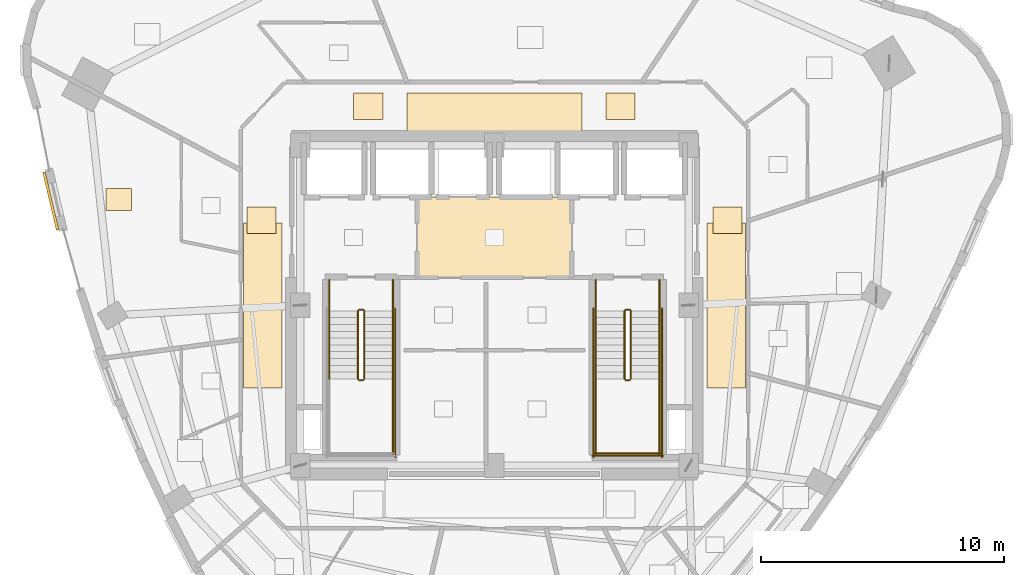
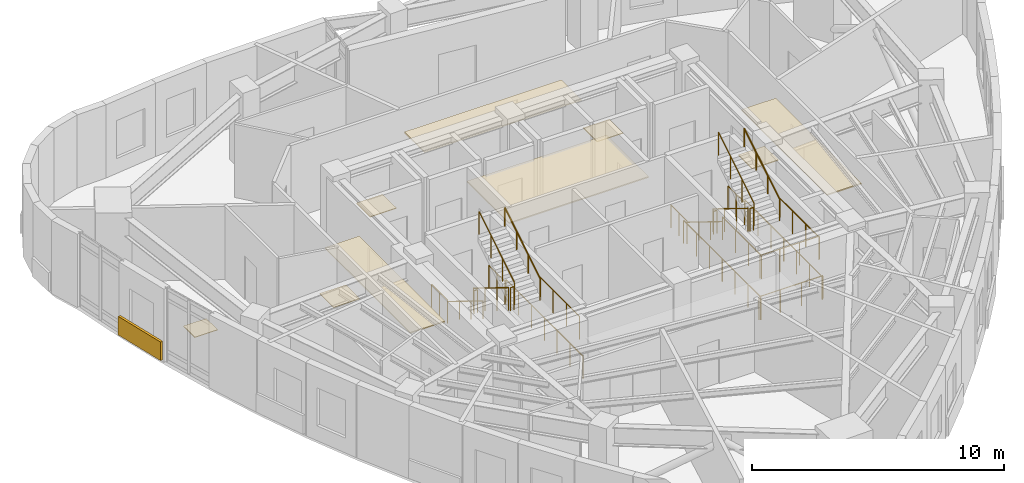
# One storey, part 15 of 16: 24 railings, 10 coverings.
"""IFC4 building model written with IfcOpenShell, lengths in metres."""

from ifc_helpers import new_model, si_unit, direction, frame, origin, origin_2d, place, context, subcontext, project, spatial, rectangle, circle, extrude, material, layer, layer_set, type_object, element, save


model = new_model("IFC4")

# Units and contexts
model_context = context("Model", 3, precision=1e-05, world=origin(), true_north=direction((0.0, 1.0)))
body_context = subcontext(model_context, "Body", "Model", "MODEL_VIEW")
ifc_project = project(units=[si_unit("LENGTHUNIT", "METRE"), si_unit("AREAUNIT", "SQUARE_METRE"), si_unit("VOLUMEUNIT", "CUBIC_METRE"), si_unit("PLANEANGLEUNIT", "RADIAN"), si_unit("MASSUNIT", "GRAM", prefix="KILO")], contexts=[model_context])

# Site, building, storey
site_placement = place(None, origin())
site = spatial("IfcSite", under=ifc_project, at=site_placement, CompositionType="ELEMENT")
building_placement = place(site_placement, origin())
building = spatial("IfcBuilding", under=site, at=building_placement, Name="Ndelora Gate Hotel", CompositionType="ELEMENT")
storey_placement = place(building_placement, frame((0.0, 0.0, 182.75)))
storey = spatial("IfcBuildingStorey", under=building, at=storey_placement, Name="L45", CompositionType="ELEMENT", Elevation=182.75)

# Coverings
ifc_material_1 = material(Name="Perforated Acoustic Gypsum Board", Category="gypsum")
ifc_layer_1 = layer(ifc_material_1, 0.054931640625)
ifc_layer_set_1 = layer_set([ifc_layer_1], Name="Perforated Acoustic Gypsum Board")
covering_type_1 = type_object("IfcCoveringType", Name="COV-CEIL-AC60", PredefinedType="CEILING", material=ifc_layer_set_1)
covering_1_placement = place(storey_placement, frame((0.0, 2.800048828125, 2.72265625), z_axis=(0.0, 0.0, 1.0), x_axis=(1.0, 0.0, 0.0)))
element("IfcCovering", 1, at=covering_1_placement, inside=storey, type_object=covering_type_1, Name="L45 Lift Lobby Acoustic Ceiling", PredefinedType="CEILING", context=body_context, shape_type="SweptSolid", body=[
    extrude(rectangle(XDim=6.39990234375, YDim=3.340087890625, at=origin_2d()), origin(), (0.0, 0.0, 1.0), 0.054931640625),
])
covering_2_placement = place(storey_placement, frame((0.0, 7.9599609375, 2.65234375), z_axis=(0.0, 0.0, 1.0), x_axis=(1.0, 0.0, 0.0)))
element("IfcCovering", 2, at=covering_2_placement, inside=storey, type_object=covering_type_1, Name="L45 Guest Corridor Acoustic Ceiling N", PredefinedType="CEILING", context=body_context, shape_type="SweptSolid", body=[
    extrude(rectangle(XDim=7.199951171875, YDim=1.580078125, at=origin_2d()), origin(), (0.0, 0.0, 1.0), 0.054931640625),
])
for number, where, z_axis, x_axis, name in (
    (3, (-9.550048828125, 0.0, 2.65234375), (0.0, 0.0, 1.0), (1.0, 0.0, 0.0), "L45 Guest Corridor Acoustic Ceiling W"),
    (4, (9.550048828125, 0.0, 2.65234375), (0.0, 0.0, 1.0), (1.0, 0.0, 0.0), "L45 Guest Corridor Acoustic Ceiling E"),
):
    element("IfcCovering", number, at=place(storey_placement, frame(where, z_axis=z_axis, x_axis=x_axis)), inside=storey, type_object=covering_type_1, Name=name, PredefinedType="CEILING", context=body_context, shape_type="SweptSolid", body=[
        extrude(rectangle(XDim=1.580078125, YDim=6.800048828125, at=origin_2d()), origin(), (0.0, 0.0, 1.0), 0.054931640625),
    ])
ifc_material_2 = material(Name="Terracotta Fired Clay Brick Slip Cladding", Category="masonry")
ifc_layer_2 = layer(ifc_material_2, 0.110107421875)
ifc_layer_set_2 = layer_set([ifc_layer_2], Name="Terracotta Fired Clay Brick Slip Cladding")
covering_type_2 = type_object("IfcCoveringType", Name="COV-CLAD-BRK", PredefinedType="CLADDING", material=ifc_layer_set_2)
covering_3_placement = place(storey_placement, frame((-18.275390625, 4.298828125, 0.10009765625), z_axis=(0.0, 0.0, 1.0), x_axis=(-0.230219585439, 0.973138706701, 0.0)))
element("IfcCovering", 5, at=covering_3_placement, inside=storey, type_object=covering_type_2, Name="L45 Rounded-Corner Brick Cladding Band 10", PredefinedType="CLADDING", context=body_context, shape_type="SweptSolid", body=[
    extrude(rectangle(XDim=2.4599609375, YDim=0.110107421875, at=origin_2d()), origin(), (0.0, 0.0, 1.0), 0.89990234375),
])
ifc_material_3 = material(Name="Engineered Highland Oak Parquet", Category="wood")
ifc_layer_3 = layer(ifc_material_3, 0.030029296875)
ifc_layer_set_3 = layer_set([ifc_layer_3], Name="Engineered Highland Oak Parquet")
covering_type_3 = type_object("IfcCoveringType", Name="COV-FLR-PARQ", PredefinedType="FLOORING", material=ifc_layer_set_3)
covering_4_placement = place(storey_placement, frame((-15.482421875, 4.3583984375, 0.0), z_axis=(0.0, 0.0, 1.0), x_axis=(1.0, 0.0, 0.0)))
element("IfcCovering", 6, at=covering_4_placement, inside=storey, type_object=covering_type_3, Name="L45 Altitude Twin Suite 4805 Oak Parquet Flooring", PredefinedType="FLOORING", context=body_context, shape_type="SweptSolid", body=[
    extrude(rectangle(XDim=1.050048828125, YDim=0.89990234375, at=origin_2d()), origin(), (0.0, 0.0, 1.0), 0.030029296875),
])
ifc_material_4 = material(Name="Polished Highland Stone Terrazzo", Category="masonry")
ifc_layer_4 = layer(ifc_material_4, 0.034912109375)
ifc_layer_set_4 = layer_set([ifc_layer_4], Name="Polished Highland Stone Terrazzo")
covering_type_4 = type_object("IfcCoveringType", Name="COV-FLR-TERZ", PredefinedType="FLOORING", material=ifc_layer_set_4)
for number, where, z_axis, x_axis, name in (
    (7, (-5.199951171875, 8.199951171875, 0.0), (0.0, 0.0, 1.0), (1.0, 0.0, 0.0), "L45 Corridor Threshold Terrazzo Inlay NW"),
    (8, (5.199951171875, 8.199951171875, 0.0), (0.0, 0.0, 1.0), (1.0, 0.0, 0.0), "L45 Corridor Threshold Terrazzo Inlay NE"),
    (9, (-9.60009765625, 3.5, 0.0), (0.0, 0.0, 1.0), (1.0, 0.0, 0.0), "L45 Corridor Threshold Terrazzo Inlay W"),
    (10, (9.60009765625, 3.5, 0.0), (0.0, 0.0, 1.0), (1.0, 0.0, 0.0), "L45 Corridor Threshold Terrazzo Inlay E"),
):
    element("IfcCovering", number, at=place(storey_placement, frame(where, z_axis=z_axis, x_axis=x_axis)), inside=storey, type_object=covering_type_4, Name=name, PredefinedType="FLOORING", context=body_context, shape_type="SweptSolid", body=[
        extrude(rectangle(XDim=1.199951171875, YDim=1.10009765625, at=origin_2d()), origin(), (0.0, 0.0, 1.0), 0.034912109375),
    ])

# Railings
ifc_material_5 = material(Name="Painted Galvanized Steel Balustrade", Category="steel")
ifc_layer_5 = layer(ifc_material_5, 0.06005859375)
ifc_layer_set_5 = layer_set([ifc_layer_5], Name="Painted Galvanized Steel Balustrade")
railing_type_1 = type_object("IfcRailingType", Name="RL-STAIR-GD", PredefinedType="GUARDRAIL", material=ifc_layer_set_5)
railing_1_placement = place(storey_placement, frame((-5.6201171875, -0.22998046875, 0.172607421875)))
element("IfcRailing", 11, at=railing_1_placement, inside=storey, type_object=railing_type_1, Name="L45 ST4 stair guard 1", PredefinedType="GUARDRAIL", context=body_context, shape_type="SweptSolid", body=[
    extrude(circle(Radius=0.02392578125, at=origin_2d()), frame((0.0, 0.0, 1.10595703125), z_axis=(0.0, -0.851089632645, 0.525020415988), x_axis=(1.0, 0.0, 0.0)), (0.0, 0.0, 1.0), 3.2900390625),
    extrude(circle(Radius=0.02099609375, at=origin_2d()), origin(), (0.0, 0.0, 1.0), 1.081787109375),
    extrude(circle(Radius=0.02099609375, at=origin_2d()), frame((0.0, -0.933349609375, 0.57568359375)), (0.0, 0.0, 1.0), 1.081787109375),
    extrude(circle(Radius=0.02099609375, at=origin_2d()), frame((0.0, -1.86669921875, 1.151611328125)), (0.0, 0.0, 1.0), 1.081787109375),
    extrude(circle(Radius=0.02099609375, at=origin_2d()), frame((0.0, -2.800048828125, 1.727294921875)), (0.0, 0.0, 1.0), 1.081787109375),
])
railing_2_placement = place(storey_placement, frame((-5.570068359375, -3.080078125, 1.89990234375)))
element("IfcRailing", 12, at=railing_2_placement, inside=storey, type_object=railing_type_1, Name="L45 ST4 stair guard 2", PredefinedType="GUARDRAIL", context=body_context, shape_type="SweptSolid", body=[
    extrude(circle(Radius=0.02392578125, at=origin_2d()), frame((0.0, 0.0, 1.10595703125), z_axis=(1.0, 0.0, 0.0), x_axis=(0.0, 1.0, 0.0)), (0.0, 0.0, 1.0), 0.16015625),
    extrude(circle(Radius=0.02099609375, at=origin_2d()), origin(), (0.0, 0.0, 1.0), 1.081787109375),
    extrude(circle(Radius=0.02099609375, at=origin_2d()), frame((0.16015625, 0.0, 0.0)), (0.0, 0.0, 1.0), 1.081787109375),
])
railing_3_placement = place(storey_placement, frame((-4.179931640625, -3.030029296875, 1.89990234375)))
element("IfcRailing", 13, at=railing_3_placement, inside=storey, type_object=railing_type_1, Name="L45 ST4 stair guard 4", PredefinedType="GUARDRAIL", context=body_context, shape_type="SweptSolid", body=[
    extrude(circle(Radius=0.02392578125, at=origin_2d()), frame((0.0, 0.0, 1.10595703125), z_axis=(0.0, -1.0, 0.0), x_axis=(1.0, 0.0, 0.0)), (0.0, 0.0, 1.0), 3.119873046875),
    extrude(circle(Radius=0.02099609375, at=origin_2d()), origin(), (0.0, 0.0, 1.0), 1.081787109375),
    extrude(circle(Radius=0.02099609375, at=origin_2d()), frame((0.0, -1.0400390625, 0.0)), (0.0, 0.0, 1.0), 1.081787109375),
    extrude(circle(Radius=0.02099609375, at=origin_2d()), frame((0.0, -2.079833984375, 0.0)), (0.0, 0.0, 1.0), 1.081787109375),
    extrude(circle(Radius=0.02099609375, at=origin_2d()), frame((0.0, -3.119873046875, 0.0)), (0.0, 0.0, 1.0), 1.081787109375),
])
railing_4_placement = place(storey_placement, frame((-5.360107421875, -3.030029296875, 2.07275390625)))
element("IfcRailing", 14, at=railing_4_placement, inside=storey, type_object=railing_type_1, Name="L45 ST4 stair guard 6", PredefinedType="GUARDRAIL", context=body_context, shape_type="SweptSolid", body=[
    extrude(circle(Radius=0.02392578125, at=origin_2d()), frame((0.0, 0.0, 1.10595703125), z_axis=(0.0, 0.851089632645, 0.525020415988), x_axis=(-1.0, 0.0, 0.0)), (0.0, 0.0, 1.0), 3.2900390625),
    extrude(circle(Radius=0.02099609375, at=origin_2d()), origin(), (0.0, 0.0, 1.0), 1.081787109375),
    extrude(circle(Radius=0.02099609375, at=origin_2d()), frame((0.0, 0.933349609375, 0.57568359375)), (0.0, 0.0, 1.0), 1.081787109375),
    extrude(circle(Radius=0.02099609375, at=origin_2d()), frame((0.0, 1.86669921875, 1.151611328125)), (0.0, 0.0, 1.0), 1.081787109375),
    extrude(circle(Radius=0.02099609375, at=origin_2d()), frame((0.0, 2.800048828125, 1.727294921875)), (0.0, 0.0, 1.0), 1.081787109375),
])
railing_5_placement = place(storey_placement, frame((-5.570068359375, -0.179931640625, 0.0)))
element("IfcRailing", 15, at=railing_5_placement, inside=storey, type_object=railing_type_1, Name="L45 ST4 stair guard 7", PredefinedType="GUARDRAIL", context=body_context, shape_type="SweptSolid", body=[
    extrude(circle(Radius=0.02392578125, at=origin_2d()), frame((0.0, 0.0, 1.10595703125), z_axis=(1.0, 0.0, 0.0), x_axis=(0.0, 1.0, 0.0)), (0.0, 0.0, 1.0), 0.16015625),
    extrude(circle(Radius=0.02099609375, at=origin_2d()), origin(), (0.0, 0.0, 1.0), 1.081787109375),
    extrude(circle(Radius=0.02099609375, at=origin_2d()), frame((0.16015625, 0.0, 0.0)), (0.0, 0.0, 1.0), 1.081787109375),
])
for number, where, name in (
    (16, (-6.800048828125, 1.050048828125, 0.0), "L45 ST4 stair guard 8"),
    (17, (-4.179931640625, 1.050048828125, 0.0), "L45 ST4 stair guard 9"),
):
    element("IfcRailing", number, at=place(storey_placement, frame(where)), inside=storey, type_object=railing_type_1, Name=name, PredefinedType="GUARDRAIL", context=body_context, shape_type="SweptSolid", body=[
        extrude(circle(Radius=0.02392578125, at=origin_2d()), frame((0.0, 0.0, 1.10595703125), z_axis=(0.0, -1.0, 0.0), x_axis=(1.0, 0.0, 0.0)), (0.0, 0.0, 1.0), 1.280029296875),
        extrude(circle(Radius=0.02099609375, at=origin_2d()), origin(), (0.0, 0.0, 1.0), 1.081787109375),
        extrude(circle(Radius=0.02099609375, at=origin_2d()), frame((0.0, -0.64013671875, 0.0)), (0.0, 0.0, 1.0), 1.081787109375),
        extrude(circle(Radius=0.02099609375, at=origin_2d()), frame((0.0, -1.280029296875, 0.0)), (0.0, 0.0, 1.0), 1.081787109375),
    ])
railing_6_placement = place(storey_placement, frame((-4.080078125, -0.1298828125, 0.0)))
element("IfcRailing", 18, at=railing_6_placement, inside=storey, type_object=railing_type_1, Name="L45 ST4 stair guard 11", PredefinedType="GUARDRAIL", context=body_context, shape_type="SweptSolid", body=[
    extrude(circle(Radius=0.02392578125, at=origin_2d()), frame((0.0, 0.0, 1.10595703125), z_axis=(0.0, -1.0, 0.0), x_axis=(1.0, 0.0, 0.0)), (0.0, 0.0, 1.0), 6.1201171875),
    extrude(circle(Radius=0.02099609375, at=origin_2d()), origin(), (0.0, 0.0, 1.0), 1.081787109375),
    extrude(circle(Radius=0.02099609375, at=origin_2d()), frame((0.0, -1.02001953125, 0.0)), (0.0, 0.0, 1.0), 1.081787109375),
    extrude(circle(Radius=0.02099609375, at=origin_2d()), frame((0.0, -2.0400390625, 0.0)), (0.0, 0.0, 1.0), 1.081787109375),
    extrude(circle(Radius=0.02099609375, at=origin_2d()), frame((0.0, -3.06005859375, 0.0)), (0.0, 0.0, 1.0), 1.081787109375),
    extrude(circle(Radius=0.02099609375, at=origin_2d()), frame((0.0, -4.080078125, 0.0)), (0.0, 0.0, 1.0), 1.081787109375),
    extrude(circle(Radius=0.02099609375, at=origin_2d()), frame((0.0, -5.10009765625, 0.0)), (0.0, 0.0, 1.0), 1.081787109375),
    extrude(circle(Radius=0.02099609375, at=origin_2d()), frame((0.0, -6.1201171875, 0.0)), (0.0, 0.0, 1.0), 1.081787109375),
])
railing_7_placement = place(storey_placement, frame((5.360107421875, -0.22998046875, 0.172607421875)))
element("IfcRailing", 19, at=railing_7_placement, inside=storey, type_object=railing_type_1, Name="L45 ST5 stair guard 1", PredefinedType="GUARDRAIL", context=body_context, shape_type="SweptSolid", body=[
    extrude(circle(Radius=0.02392578125, at=origin_2d()), frame((0.0, 0.0, 1.10595703125), z_axis=(0.0, -0.851089632645, 0.525020415988), x_axis=(1.0, 0.0, 0.0)), (0.0, 0.0, 1.0), 3.2900390625),
    extrude(circle(Radius=0.02099609375, at=origin_2d()), origin(), (0.0, 0.0, 1.0), 1.081787109375),
    extrude(circle(Radius=0.02099609375, at=origin_2d()), frame((0.0, -0.933349609375, 0.57568359375)), (0.0, 0.0, 1.0), 1.081787109375),
    extrude(circle(Radius=0.02099609375, at=origin_2d()), frame((0.0, -1.86669921875, 1.151611328125)), (0.0, 0.0, 1.0), 1.081787109375),
    extrude(circle(Radius=0.02099609375, at=origin_2d()), frame((0.0, -2.800048828125, 1.727294921875)), (0.0, 0.0, 1.0), 1.081787109375),
])
railing_8_placement = place(storey_placement, frame((5.409912109375, -3.080078125, 1.89990234375)))
element("IfcRailing", 20, at=railing_8_placement, inside=storey, type_object=railing_type_1, Name="L45 ST5 stair guard 2", PredefinedType="GUARDRAIL", context=body_context, shape_type="SweptSolid", body=[
    extrude(circle(Radius=0.02392578125, at=origin_2d()), frame((0.0, 0.0, 1.10595703125), z_axis=(1.0, 0.0, 0.0), x_axis=(0.0, 1.0, 0.0)), (0.0, 0.0, 1.0), 0.16015625),
    extrude(circle(Radius=0.02099609375, at=origin_2d()), origin(), (0.0, 0.0, 1.0), 1.081787109375),
    extrude(circle(Radius=0.02099609375, at=origin_2d()), frame((0.16015625, 0.0, 0.0)), (0.0, 0.0, 1.0), 1.081787109375),
])
for number, where, name in (
    (21, (4.179931640625, -3.030029296875, 1.89990234375), "L45 ST5 stair guard 3"),
    (22, (6.800048828125, -3.030029296875, 1.89990234375), "L45 ST5 stair guard 4"),
):
    element("IfcRailing", number, at=place(storey_placement, frame(where)), inside=storey, type_object=railing_type_1, Name=name, PredefinedType="GUARDRAIL", context=body_context, shape_type="SweptSolid", body=[
        extrude(circle(Radius=0.02392578125, at=origin_2d()), frame((0.0, 0.0, 1.10595703125), z_axis=(0.0, -1.0, 0.0), x_axis=(1.0, 0.0, 0.0)), (0.0, 0.0, 1.0), 3.119873046875),
        extrude(circle(Radius=0.02099609375, at=origin_2d()), origin(), (0.0, 0.0, 1.0), 1.081787109375),
        extrude(circle(Radius=0.02099609375, at=origin_2d()), frame((0.0, -1.0400390625, 0.0)), (0.0, 0.0, 1.0), 1.081787109375),
        extrude(circle(Radius=0.02099609375, at=origin_2d()), frame((0.0, -2.079833984375, 0.0)), (0.0, 0.0, 1.0), 1.081787109375),
        extrude(circle(Radius=0.02099609375, at=origin_2d()), frame((0.0, -3.119873046875, 0.0)), (0.0, 0.0, 1.0), 1.081787109375),
    ])
railing_9_placement = place(storey_placement, frame((4.1298828125, -6.10009765625, 1.89990234375)))
element("IfcRailing", 23, at=railing_9_placement, inside=storey, type_object=railing_type_1, Name="L45 ST5 stair guard 5", PredefinedType="GUARDRAIL", context=body_context, shape_type="SweptSolid", body=[
    extrude(circle(Radius=0.02392578125, at=origin_2d()), frame((0.0, 0.0, 1.10595703125), z_axis=(1.0, 0.0, 0.0), x_axis=(0.0, 1.0, 0.0)), (0.0, 0.0, 1.0), 2.72021484375),
    extrude(circle(Radius=0.02099609375, at=origin_2d()), origin(), (0.0, 0.0, 1.0), 1.081787109375),
    extrude(circle(Radius=0.02099609375, at=origin_2d()), frame((0.90673828125, 0.0, 0.0)), (0.0, 0.0, 1.0), 1.081787109375),
    extrude(circle(Radius=0.02099609375, at=origin_2d()), frame((1.8134765625, 0.0, 0.0)), (0.0, 0.0, 1.0), 1.081787109375),
    extrude(circle(Radius=0.02099609375, at=origin_2d()), frame((2.72021484375, 0.0, 0.0)), (0.0, 0.0, 1.0), 1.081787109375),
])
railing_10_placement = place(storey_placement, frame((5.6201171875, -3.030029296875, 2.07275390625)))
element("IfcRailing", 24, at=railing_10_placement, inside=storey, type_object=railing_type_1, Name="L45 ST5 stair guard 6", PredefinedType="GUARDRAIL", context=body_context, shape_type="SweptSolid", body=[
    extrude(circle(Radius=0.02392578125, at=origin_2d()), frame((0.0, 0.0, 1.10595703125), z_axis=(0.0, 0.851089632645, 0.525020415988), x_axis=(-1.0, 0.0, 0.0)), (0.0, 0.0, 1.0), 3.2900390625),
    extrude(circle(Radius=0.02099609375, at=origin_2d()), origin(), (0.0, 0.0, 1.0), 1.081787109375),
    extrude(circle(Radius=0.02099609375, at=origin_2d()), frame((0.0, 0.933349609375, 0.57568359375)), (0.0, 0.0, 1.0), 1.081787109375),
    extrude(circle(Radius=0.02099609375, at=origin_2d()), frame((0.0, 1.86669921875, 1.151611328125)), (0.0, 0.0, 1.0), 1.081787109375),
    extrude(circle(Radius=0.02099609375, at=origin_2d()), frame((0.0, 2.800048828125, 1.727294921875)), (0.0, 0.0, 1.0), 1.081787109375),
])
railing_11_placement = place(storey_placement, frame((5.409912109375, -0.179931640625, 0.0)))
element("IfcRailing", 25, at=railing_11_placement, inside=storey, type_object=railing_type_1, Name="L45 ST5 stair guard 7", PredefinedType="GUARDRAIL", context=body_context, shape_type="SweptSolid", body=[
    extrude(circle(Radius=0.02392578125, at=origin_2d()), frame((0.0, 0.0, 1.10595703125), z_axis=(1.0, 0.0, 0.0), x_axis=(0.0, 1.0, 0.0)), (0.0, 0.0, 1.0), 0.16015625),
    extrude(circle(Radius=0.02099609375, at=origin_2d()), origin(), (0.0, 0.0, 1.0), 1.081787109375),
    extrude(circle(Radius=0.02099609375, at=origin_2d()), frame((0.16015625, 0.0, 0.0)), (0.0, 0.0, 1.0), 1.081787109375),
])
for number, where, name in (
    (26, (4.179931640625, 1.050048828125, 0.0), "L45 ST5 stair guard 8"),
    (27, (6.800048828125, 1.050048828125, 0.0), "L45 ST5 stair guard 9"),
):
    element("IfcRailing", number, at=place(storey_placement, frame(where)), inside=storey, type_object=railing_type_1, Name=name, PredefinedType="GUARDRAIL", context=body_context, shape_type="SweptSolid", body=[
        extrude(circle(Radius=0.02392578125, at=origin_2d()), frame((0.0, 0.0, 1.10595703125), z_axis=(0.0, -1.0, 0.0), x_axis=(1.0, 0.0, 0.0)), (0.0, 0.0, 1.0), 1.280029296875),
        extrude(circle(Radius=0.02099609375, at=origin_2d()), origin(), (0.0, 0.0, 1.0), 1.081787109375),
        extrude(circle(Radius=0.02099609375, at=origin_2d()), frame((0.0, -0.64013671875, 0.0)), (0.0, 0.0, 1.0), 1.081787109375),
        extrude(circle(Radius=0.02099609375, at=origin_2d()), frame((0.0, -1.280029296875, 0.0)), (0.0, 0.0, 1.0), 1.081787109375),
    ])
for number, where, name in (
    (28, (4.080078125, -0.1298828125, 0.0), "L45 ST5 stair guard 10"),
    (29, (6.89990234375, -0.1298828125, 0.0), "L45 ST5 stair guard 11"),
):
    element("IfcRailing", number, at=place(storey_placement, frame(where)), inside=storey, type_object=railing_type_1, Name=name, PredefinedType="GUARDRAIL", context=body_context, shape_type="SweptSolid", body=[
        extrude(circle(Radius=0.02392578125, at=origin_2d()), frame((0.0, 0.0, 1.10595703125), z_axis=(0.0, -1.0, 0.0), x_axis=(1.0, 0.0, 0.0)), (0.0, 0.0, 1.0), 6.1201171875),
        extrude(circle(Radius=0.02099609375, at=origin_2d()), origin(), (0.0, 0.0, 1.0), 1.081787109375),
        extrude(circle(Radius=0.02099609375, at=origin_2d()), frame((0.0, -1.02001953125, 0.0)), (0.0, 0.0, 1.0), 1.081787109375),
        extrude(circle(Radius=0.02099609375, at=origin_2d()), frame((0.0, -2.0400390625, 0.0)), (0.0, 0.0, 1.0), 1.081787109375),
        extrude(circle(Radius=0.02099609375, at=origin_2d()), frame((0.0, -3.06005859375, 0.0)), (0.0, 0.0, 1.0), 1.081787109375),
        extrude(circle(Radius=0.02099609375, at=origin_2d()), frame((0.0, -4.080078125, 0.0)), (0.0, 0.0, 1.0), 1.081787109375),
        extrude(circle(Radius=0.02099609375, at=origin_2d()), frame((0.0, -5.10009765625, 0.0)), (0.0, 0.0, 1.0), 1.081787109375),
        extrude(circle(Radius=0.02099609375, at=origin_2d()), frame((0.0, -6.1201171875, 0.0)), (0.0, 0.0, 1.0), 1.081787109375),
    ])
railing_12_placement = place(storey_placement, frame((4.030029296875, -6.199951171875, 0.0)))
element("IfcRailing", 30, at=railing_12_placement, inside=storey, type_object=railing_type_1, Name="L45 ST5 stair guard 12", PredefinedType="GUARDRAIL", context=body_context, shape_type="SweptSolid", body=[
    extrude(circle(Radius=0.02392578125, at=origin_2d()), frame((0.0, 0.0, 1.10595703125), z_axis=(1.0, 0.0, 0.0), x_axis=(0.0, 1.0, 0.0)), (0.0, 0.0, 1.0), 2.919921875),
    extrude(circle(Radius=0.02099609375, at=origin_2d()), origin(), (0.0, 0.0, 1.0), 1.081787109375),
    extrude(circle(Radius=0.02099609375, at=origin_2d()), frame((0.973388671875, 0.0, 0.0)), (0.0, 0.0, 1.0), 1.081787109375),
    extrude(circle(Radius=0.02099609375, at=origin_2d()), frame((1.946533203125, 0.0, 0.0)), (0.0, 0.0, 1.0), 1.081787109375),
    extrude(circle(Radius=0.02099609375, at=origin_2d()), frame((2.919921875, 0.0, 0.0)), (0.0, 0.0, 1.0), 1.081787109375),
])
ifc_material_6 = material(Name="Brushed Stainless Steel 316", Category="steel")
ifc_layer_6 = layer(ifc_material_6, 0.050048828125)
ifc_layer_set_6 = layer_set([ifc_layer_6], Name="Brushed Stainless Steel 316")
railing_type_2 = type_object("IfcRailingType", Name="RL-STAIR-HR", PredefinedType="HANDRAIL", material=ifc_layer_set_6)
railing_13_placement = place(storey_placement, frame((-6.800048828125, -0.22998046875, 0.172607421875)))
element("IfcRailing", 31, at=railing_13_placement, inside=storey, type_object=railing_type_2, Name="L45 ST4 stair handrail 1", PredefinedType="HANDRAIL", context=body_context, shape_type="SweptSolid", body=[
    extrude(circle(Radius=0.02392578125, at=origin_2d()), frame((0.0, 0.0, 0.8759765625), z_axis=(0.0, -0.851089632645, 0.525020415988), x_axis=(1.0, 0.0, 0.0)), (0.0, 0.0, 1.0), 3.2900390625),
    extrude(circle(Radius=0.02099609375, at=origin_2d()), origin(), (0.0, 0.0, 1.0), 0.851806640625),
    extrude(circle(Radius=0.02099609375, at=origin_2d()), frame((0.0, -0.933349609375, 0.57568359375)), (0.0, 0.0, 1.0), 0.851806640625),
    extrude(circle(Radius=0.02099609375, at=origin_2d()), frame((0.0, -1.86669921875, 1.151611328125)), (0.0, 0.0, 1.0), 0.851806640625),
    extrude(circle(Radius=0.02099609375, at=origin_2d()), frame((0.0, -2.800048828125, 1.727294921875)), (0.0, 0.0, 1.0), 0.851806640625),
])
railing_14_placement = place(storey_placement, frame((-4.179931640625, -3.030029296875, 2.07275390625)))
element("IfcRailing", 32, at=railing_14_placement, inside=storey, type_object=railing_type_2, Name="L45 ST4 stair handrail 2", PredefinedType="HANDRAIL", context=body_context, shape_type="SweptSolid", body=[
    extrude(circle(Radius=0.02392578125, at=origin_2d()), frame((0.0, 0.0, 0.8759765625), z_axis=(0.0, 0.851089632645, 0.525020415988), x_axis=(-1.0, 0.0, 0.0)), (0.0, 0.0, 1.0), 3.2900390625),
    extrude(circle(Radius=0.02099609375, at=origin_2d()), origin(), (0.0, 0.0, 1.0), 0.851806640625),
    extrude(circle(Radius=0.02099609375, at=origin_2d()), frame((0.0, 0.933349609375, 0.57568359375)), (0.0, 0.0, 1.0), 0.851806640625),
    extrude(circle(Radius=0.02099609375, at=origin_2d()), frame((0.0, 1.86669921875, 1.151611328125)), (0.0, 0.0, 1.0), 0.851806640625),
    extrude(circle(Radius=0.02099609375, at=origin_2d()), frame((0.0, 2.800048828125, 1.727294921875)), (0.0, 0.0, 1.0), 0.851806640625),
])
railing_15_placement = place(storey_placement, frame((4.179931640625, -0.22998046875, 0.172607421875)))
element("IfcRailing", 33, at=railing_15_placement, inside=storey, type_object=railing_type_2, Name="L45 ST5 stair handrail 1", PredefinedType="HANDRAIL", context=body_context, shape_type="SweptSolid", body=[
    extrude(circle(Radius=0.02392578125, at=origin_2d()), frame((0.0, 0.0, 0.8759765625), z_axis=(0.0, -0.851089632645, 0.525020415988), x_axis=(1.0, 0.0, 0.0)), (0.0, 0.0, 1.0), 3.2900390625),
    extrude(circle(Radius=0.02099609375, at=origin_2d()), origin(), (0.0, 0.0, 1.0), 0.851806640625),
    extrude(circle(Radius=0.02099609375, at=origin_2d()), frame((0.0, -0.933349609375, 0.57568359375)), (0.0, 0.0, 1.0), 0.851806640625),
    extrude(circle(Radius=0.02099609375, at=origin_2d()), frame((0.0, -1.86669921875, 1.151611328125)), (0.0, 0.0, 1.0), 0.851806640625),
    extrude(circle(Radius=0.02099609375, at=origin_2d()), frame((0.0, -2.800048828125, 1.727294921875)), (0.0, 0.0, 1.0), 0.851806640625),
])
railing_16_placement = place(storey_placement, frame((6.800048828125, -3.030029296875, 2.07275390625)))
element("IfcRailing", 34, at=railing_16_placement, inside=storey, type_object=railing_type_2, Name="L45 ST5 stair handrail 2", PredefinedType="HANDRAIL", context=body_context, shape_type="SweptSolid", body=[
    extrude(circle(Radius=0.02392578125, at=origin_2d()), frame((0.0, 0.0, 0.8759765625), z_axis=(0.0, 0.851089632645, 0.525020415988), x_axis=(-1.0, 0.0, 0.0)), (0.0, 0.0, 1.0), 3.2900390625),
    extrude(circle(Radius=0.02099609375, at=origin_2d()), origin(), (0.0, 0.0, 1.0), 0.851806640625),
    extrude(circle(Radius=0.02099609375, at=origin_2d()), frame((0.0, 0.933349609375, 0.57568359375)), (0.0, 0.0, 1.0), 0.851806640625),
    extrude(circle(Radius=0.02099609375, at=origin_2d()), frame((0.0, 1.86669921875, 1.151611328125)), (0.0, 0.0, 1.0), 0.851806640625),
    extrude(circle(Radius=0.02099609375, at=origin_2d()), frame((0.0, 2.800048828125, 1.727294921875)), (0.0, 0.0, 1.0), 0.851806640625),
])

save(model, "model.ifc")
